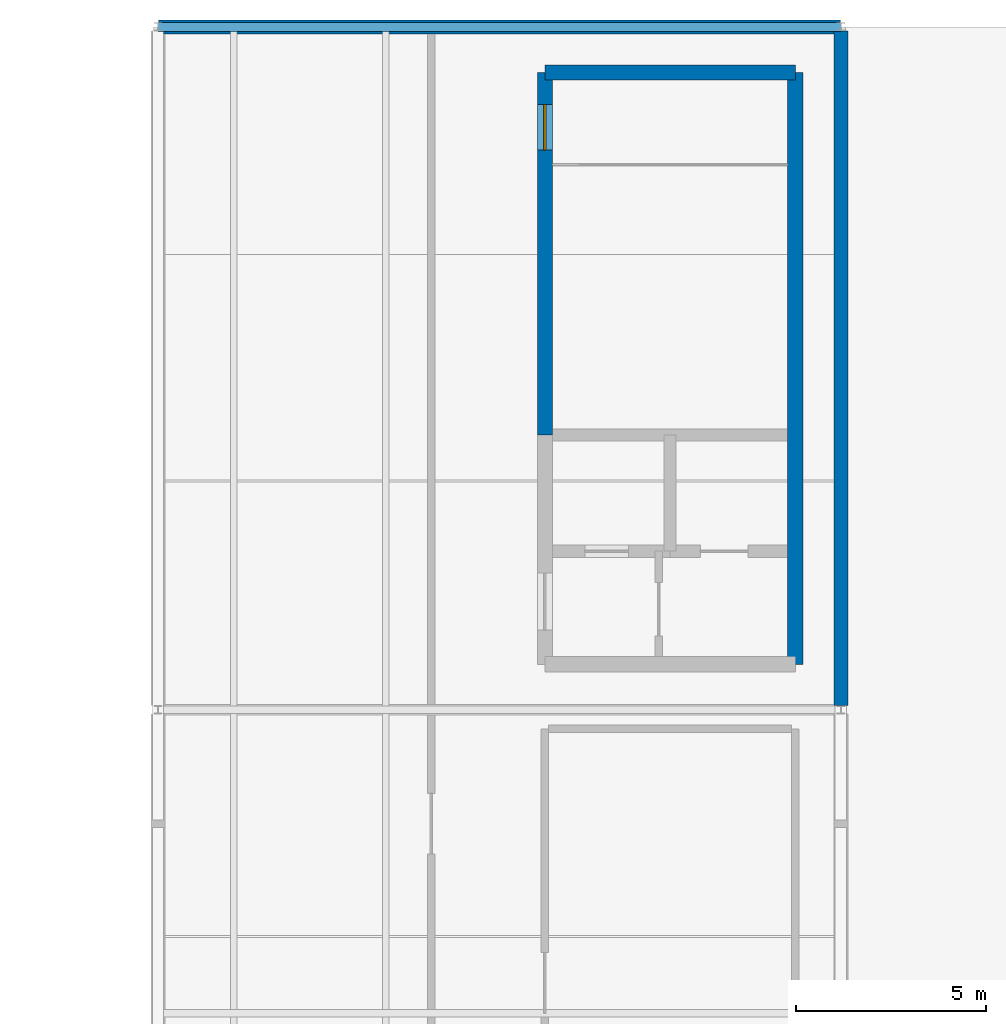
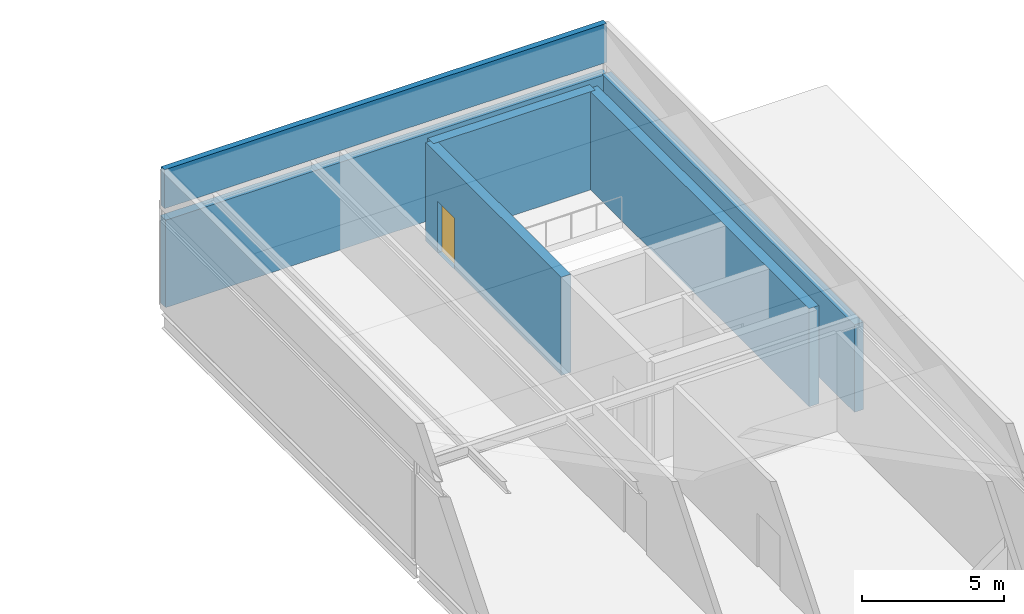
# One storey, part 12 of 13: 6 walls, 1 door, 1 opening.
"""IFC4 building model written with IfcOpenShell, lengths in metres."""

from ifc_helpers import new_model, si_unit, direction, frame, frame_2d, origin, place, context, subcontext, project, spatial, rectangle, extrude, material, layer, layer_set, type_object, element, fill, save


model = new_model("IFC4")

# Units and contexts
model_context = context("Model", 3, precision=1e-05, world=origin(), true_north=direction((0.0, 1.0)))
body_context = subcontext(model_context, "Body", "Model", "MODEL_VIEW")
ifc_project = project(units=[si_unit("LENGTHUNIT", "METRE"), si_unit("AREAUNIT", "SQUARE_METRE"), si_unit("VOLUMEUNIT", "CUBIC_METRE"), si_unit("PLANEANGLEUNIT", "RADIAN"), si_unit("MASSUNIT", "GRAM", prefix="KILO")], contexts=[model_context])

# Site, building, storey
site_placement = place(None, origin())
site = spatial("IfcSite", under=ifc_project, at=site_placement, CompositionType="ELEMENT")
building_placement = place(site_placement, origin())
building = spatial("IfcBuilding", under=site, at=building_placement, Name="Kisiwana Market Hall", CompositionType="ELEMENT")
storey_placement = place(building_placement, frame((0.0, 0.0, 69.89990234375)))
storey = spatial("IfcBuildingStorey", under=building, at=storey_placement, Name="L16", CompositionType="ELEMENT", Elevation=69.89990234375)

# Walls
ifc_material_1 = material(Name="Concrete C40/50", Category="concrete")
ifc_layer_1 = layer(ifc_material_1, 0.39990234375, Name="Reinforced concrete core wall")
ifc_layer_set_1 = layer_set([ifc_layer_1], Name="WL-CORE-400")
wall_type_1 = type_object("IfcWallType", Name="WL-CORE-400", PredefinedType="SHEAR", material=ifc_layer_set_1)
wall_1_placement = place(storey_placement, frame((181.199951171875, 100.800048828125, 0.0), z_axis=(0.0, 0.0, 1.0), x_axis=(1.0, 0.0, 0.0)))
element("IfcWall", 1, at=wall_1_placement, inside=storey, type_object=wall_type_1, Name="Core E1 north shear wall W-3519", PredefinedType="SHEAR", context=body_context, shape_type="SweptSolid", body=[
    extrude(rectangle(XDim=6.60009765625, YDim=0.39990234375, at=frame_2d((3.300048828125, 0.0))), origin(), (0.0, 0.0, 1.0), 4.22509765625),
])
wall_2_placement = place(storey_placement, frame((187.800048828125, 85.199951171875, 0.0), z_axis=(0.0, 0.0, 1.0), x_axis=(0.0, 1.0, 0.0)))
element("IfcWall", 2, at=wall_2_placement, inside=storey, type_object=wall_type_1, Name="Core E1 outer shear wall W-3520", PredefinedType="SHEAR", context=body_context, shape_type="SweptSolid", body=[
    extrude(rectangle(XDim=15.60009765625, YDim=0.39990234375, at=frame_2d((7.800048828125, 0.0))), origin(), (0.0, 0.0, 1.0), 4.22509765625),
])

# Wall, opening, door
wall_3_placement = place(storey_placement, frame((181.199951171875, 91.239990234375, 0.0), z_axis=(0.0, 0.0, 1.0), x_axis=(0.0, 1.0, 0.0)))
wall_3 = element("IfcWall", 3, at=wall_3_placement, inside=storey, type_object=wall_type_1, Name="Core E1 stair corridor shear wall W-3522", PredefinedType="SHEAR", context=body_context, shape_type="SweptSolid", body=[
    extrude(rectangle(XDim=9.56005859375, YDim=0.39990234375, at=frame_2d((4.780029296875, 0.0))), origin(), (0.0, 0.0, 1.0), 4.22509765625),
])
opening_placement = place(wall_3_placement, frame((7.510009765625, 0.0, 0.0)))
opening = element("IfcOpeningElement", 4, at=opening_placement, cuts=wall_3, Name="Opening DR-L16-011", PredefinedType="OPENING", context=body_context, shape_type="SweptSolid", body=[
    extrude(rectangle(XDim=1.199951171875, YDim=2.199951171875, at=frame_2d((0.60009765625, 1.10009765625))), frame((0.0, 0.2119140625, 0.0), z_axis=(0.0, -1.0, 0.0), x_axis=(1.0, 0.0, 0.0)), (0.0, 0.0, 1.0), 0.423828125),
])
ifc_material_2 = material(Name="Steel S275", Category="steel")
door_type = type_object("IfcDoorType", Name="DR-STAIR-FD120-1200", OperationType="NOTDEFINED", PredefinedType="DOOR", material=ifc_material_2)
door_placement = place(opening_placement, frame((1.199951171875, 0.0, 0.0), z_axis=(0.0, 0.0, 1.0), x_axis=(-1.0, 0.0, 0.0)))
door = element("IfcDoor", 5, at=door_placement, inside=storey, type_object=door_type, Name="Escape Stair E1 Fire Door (L16)", OperationType="SINGLE_SWING_LEFT", OverallHeight=2.199951171875, OverallWidth=1.199951171875, PredefinedType="DOOR", context=body_context, shape_type="SweptSolid", body=[
    extrude(rectangle(XDim=1.199951171875, YDim=2.199951171875, at=frame_2d((0.60009765625, 1.10009765625))), frame((0.0, 0.02490234375, 0.0), z_axis=(0.0, -1.0, 0.0), x_axis=(1.0, 0.0, 0.0)), (0.0, 0.0, 1.0), 0.050048828125),
])
fill(opening, door)

# Walls
ifc_material_3 = material(Name="Concrete C40/50 precast", Category="concrete")
ifc_layer_2 = layer(ifc_material_3, 0.364990234375)
ifc_layer_set_2 = layer_set([ifc_layer_2], Name="WL-EXT-365")
wall_type_2 = type_object("IfcWallType", Name="WL-EXT-365", PredefinedType="STANDARD", material=ifc_layer_set_2)
wall_4_placement = place(storey_placement, frame((171.010009765625, 102.0, 0.0), z_axis=(0.0, 0.0, 1.0), x_axis=(1.0, 0.0, 0.0)))
element("IfcWall", 6, at=wall_4_placement, inside=storey, type_object=wall_type_2, Name="Exterior wall W-3530", PredefinedType="STANDARD", context=body_context, shape_type="SweptSolid", body=[
    extrude(rectangle(XDim=17.97998046875, YDim=0.364990234375, at=frame_2d((8.989990234375, 0.0))), origin(), (0.0, 0.0, 1.0), 3.76513671875),
])
wall_5_placement = place(storey_placement, frame((189.0, 84.107666015625, 0.0), z_axis=(0.0, 0.0, 1.0), x_axis=(0.0, 1.0, 0.0)))
element("IfcWall", 7, at=wall_5_placement, inside=storey, type_object=wall_type_2, Name="Exterior wall W-3546", PredefinedType="STANDARD", context=body_context, shape_type="SweptSolid", body=[
    extrude(rectangle(XDim=17.78466796875, YDim=0.364990234375, at=frame_2d((8.892333984375, 0.0))), origin(), (0.0, 0.0, 1.0), 3.76513671875),
])
ifc_material_4 = material(Name="Concrete C40/50", Category="concrete")
ifc_layer_3 = layer(ifc_material_4, 0.239990234375, Name="Reinforced concrete roof parapet")
ifc_layer_set_3 = layer_set([ifc_layer_3], Name="WL-PARA-240")
wall_type_3 = type_object("IfcWallType", Name="WL-PARA-240", PredefinedType="PARAPET", material=ifc_layer_set_3)
wall_6_placement = place(storey_placement, frame((171.0, 102.0, 4.22509765625), z_axis=(0.0, 0.0, 1.0), x_axis=(1.0, 0.0, 0.0)))
element("IfcWall", 8, at=wall_6_placement, inside=storey, type_object=wall_type_3, Name="Roof parapet wall W-3574", PredefinedType="PARAPET", context=body_context, shape_type="SweptSolid", body=[
    extrude(rectangle(XDim=18.0, YDim=0.239990234375, at=frame_2d((9.0, 0.0))), origin(), (0.0, 0.0, 1.0), 1.675048828125),
])

save(model, "model.ifc")
